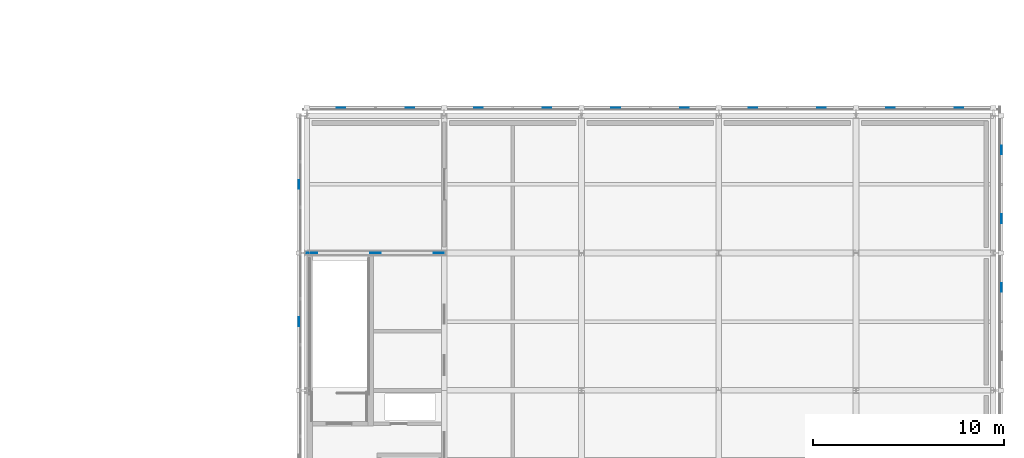
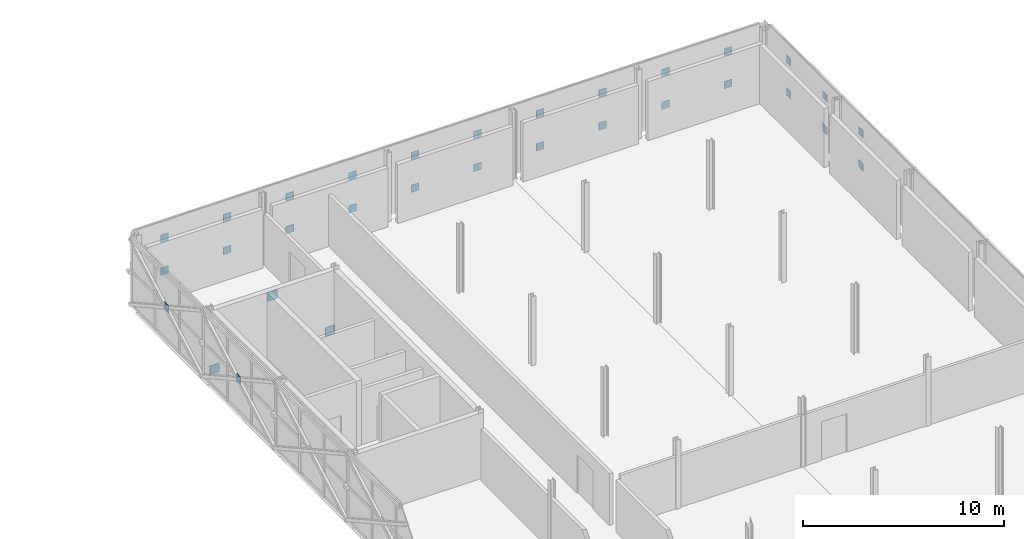
# One storey, part 117 of 146: 31 plates.
"""IFC4 building model written with IfcOpenShell, lengths in metres."""

from ifc_helpers import new_model, si_unit, direction, frame, origin, origin_2d, place, context, subcontext, project, spatial, rectangle, extrude, material, layer, layer_set, type_object, element, save


model = new_model("IFC4")

# Units and contexts
model_context = context("Model", 3, precision=1e-05, world=origin(), true_north=direction((0.0, 1.0)))
body_context = subcontext(model_context, "Body", "Model", "MODEL_VIEW")
ifc_project = project(units=[si_unit("LENGTHUNIT", "METRE"), si_unit("AREAUNIT", "SQUARE_METRE"), si_unit("VOLUMEUNIT", "CUBIC_METRE"), si_unit("PLANEANGLEUNIT", "RADIAN"), si_unit("MASSUNIT", "GRAM", prefix="KILO")], contexts=[model_context])

# Site, building, storey
site_placement = place(None, origin())
site = spatial("IfcSite", under=ifc_project, at=site_placement, CompositionType="ELEMENT")
building_placement = place(site_placement, origin())
building = spatial("IfcBuilding", under=site, at=building_placement, Name="Zlatovets Crest Museum", CompositionType="ELEMENT")
storey_placement = place(building_placement, frame((0.0, 0.0, 4.5)))
storey = spatial("IfcBuildingStorey", under=building, at=storey_placement, Name="L01", CompositionType="ELEMENT", Elevation=4.5)

# Plates
ifc_material = material(Name="Structural steel S355J2", Category="steel")
ifc_layer_1 = layer(ifc_material, 0.02490234375)
ifc_layer_set_1 = layer_set([ifc_layer_1], Name="Structural steel S355J2")
plate_type_1 = type_object("IfcPlateType", Name="Gusset_GP-01", PredefinedType="USERDEFINED", material=ifc_layer_set_1)
for number, where, z_axis, x_axis, name in (
    (1, (129.8798828125, 93.60009765625, 0.0048828125), (0.0, 0.0, 1.0), (1.0, 0.0, 0.0), "V5 L01 Brace End Gusset Plate GP-01"),
    (2, (136.52001953125, 93.60009765625, 0.0048828125), (0.0, 0.0, 1.0), (1.0, 0.0, 0.0), "V5 L01 Brace End Gusset Plate GP-01"),
    (3, (133.199951171875, 93.60009765625, 3.294921875), (0.0, 0.0, 1.0), (1.0, 0.0, 0.0), "V5 L01 Brace End Gusset Plate GP-01"),
):
    element("IfcPlate", number, at=place(storey_placement, frame(where, z_axis=z_axis, x_axis=x_axis)), inside=storey, type_object=plate_type_1, Name=name, ObjectType="GUSSET", PredefinedType="USERDEFINED", context=body_context, shape_type="SweptSolid", body=[
        extrude(rectangle(XDim=0.550048828125, YDim=0.02490234375, at=origin_2d()), origin(), (0.0, 0.0, 1.0), 0.550048828125),
    ])
ifc_layer_2 = layer(ifc_material, 0.02001953125)
ifc_layer_set_2 = layer_set([ifc_layer_2], Name="Structural steel S355J2")
plate_type_2 = type_object("IfcPlateType", Name="Gusset_GP-04", PredefinedType="USERDEFINED", material=ifc_layer_set_2)
for number, where, z_axis, x_axis, name in (
    (4, (166.02001953125, 91.800048828125, 0.875), (0.0, 0.0, 1.0), (1.0, 0.0, 0.0), "X-Brace Crossing Node Gusset Plate GP-04"),
    (5, (166.02001953125, 91.800048828125, 2.875), (0.0, 0.0, 1.0), (1.0, 0.0, 0.0), "X-Brace Crossing Node Gusset Plate GP-04"),
    (6, (166.02001953125, 95.39990234375, 0.875), (0.0, 0.0, 1.0), (1.0, 0.0, 0.0), "X-Brace Crossing Node Gusset Plate GP-04"),
    (7, (166.02001953125, 99.0, 0.875), (0.0, 0.0, 1.0), (1.0, 0.0, 0.0), "X-Brace Crossing Node Gusset Plate GP-04"),
    (8, (166.02001953125, 95.39990234375, 2.875), (0.0, 0.0, 1.0), (1.0, 0.0, 0.0), "X-Brace Crossing Node Gusset Plate GP-04"),
    (9, (166.02001953125, 99.0, 2.875), (0.0, 0.0, 1.0), (1.0, 0.0, 0.0), "X-Brace Crossing Node Gusset Plate GP-04"),
):
    element("IfcPlate", number, at=place(storey_placement, frame(where, z_axis=z_axis, x_axis=x_axis)), inside=storey, type_object=plate_type_2, Name=name, ObjectType="GUSSET", PredefinedType="USERDEFINED", context=body_context, shape_type="SweptSolid", body=[
        extrude(rectangle(XDim=0.02001953125, YDim=0.449951171875, at=origin_2d()), origin(), (0.0, 0.0, 1.0), 0.449951171875),
    ])
for number, where, z_axis, x_axis, name in (
    (10, (163.800048828125, 101.219970703125, 0.875), (0.0, 0.0, 1.0), (1.0, 0.0, 0.0), "X-Brace Crossing Node Gusset Plate GP-04"),
    (11, (160.199951171875, 101.219970703125, 0.875), (0.0, 0.0, 1.0), (1.0, 0.0, 0.0), "X-Brace Crossing Node Gusset Plate GP-04"),
    (12, (163.800048828125, 101.219970703125, 2.875), (0.0, 0.0, 1.0), (1.0, 0.0, 0.0), "X-Brace Crossing Node Gusset Plate GP-04"),
    (13, (160.199951171875, 101.219970703125, 2.875), (0.0, 0.0, 1.0), (1.0, 0.0, 0.0), "X-Brace Crossing Node Gusset Plate GP-04"),
    (14, (156.60009765625, 101.219970703125, 0.875), (0.0, 0.0, 1.0), (1.0, 0.0, 0.0), "X-Brace Crossing Node Gusset Plate GP-04"),
    (15, (153.0, 101.219970703125, 0.875), (0.0, 0.0, 1.0), (1.0, 0.0, 0.0), "X-Brace Crossing Node Gusset Plate GP-04"),
    (16, (156.60009765625, 101.219970703125, 2.875), (0.0, 0.0, 1.0), (1.0, 0.0, 0.0), "X-Brace Crossing Node Gusset Plate GP-04"),
    (17, (153.0, 101.219970703125, 2.875), (0.0, 0.0, 1.0), (1.0, 0.0, 0.0), "X-Brace Crossing Node Gusset Plate GP-04"),
    (18, (149.39990234375, 101.219970703125, 0.875), (0.0, 0.0, 1.0), (1.0, 0.0, 0.0), "X-Brace Crossing Node Gusset Plate GP-04"),
    (19, (145.800048828125, 101.219970703125, 0.875), (0.0, 0.0, 1.0), (1.0, 0.0, 0.0), "X-Brace Crossing Node Gusset Plate GP-04"),
    (20, (149.39990234375, 101.219970703125, 2.875), (0.0, 0.0, 1.0), (1.0, 0.0, 0.0), "X-Brace Crossing Node Gusset Plate GP-04"),
    (21, (145.800048828125, 101.219970703125, 2.875), (0.0, 0.0, 1.0), (1.0, 0.0, 0.0), "X-Brace Crossing Node Gusset Plate GP-04"),
    (22, (142.199951171875, 101.219970703125, 0.875), (0.0, 0.0, 1.0), (1.0, 0.0, 0.0), "X-Brace Crossing Node Gusset Plate GP-04"),
    (23, (138.60009765625, 101.219970703125, 0.875), (0.0, 0.0, 1.0), (1.0, 0.0, 0.0), "X-Brace Crossing Node Gusset Plate GP-04"),
    (24, (142.199951171875, 101.219970703125, 2.875), (0.0, 0.0, 1.0), (1.0, 0.0, 0.0), "X-Brace Crossing Node Gusset Plate GP-04"),
    (25, (138.60009765625, 101.219970703125, 2.875), (0.0, 0.0, 1.0), (1.0, 0.0, 0.0), "X-Brace Crossing Node Gusset Plate GP-04"),
    (26, (135.0, 101.219970703125, 0.875), (0.0, 0.0, 1.0), (1.0, 0.0, 0.0), "X-Brace Crossing Node Gusset Plate GP-04"),
    (27, (131.39990234375, 101.219970703125, 0.875), (0.0, 0.0, 1.0), (1.0, 0.0, 0.0), "X-Brace Crossing Node Gusset Plate GP-04"),
    (28, (135.0, 101.219970703125, 2.875), (0.0, 0.0, 1.0), (1.0, 0.0, 0.0), "X-Brace Crossing Node Gusset Plate GP-04"),
    (29, (131.39990234375, 101.219970703125, 2.875), (0.0, 0.0, 1.0), (1.0, 0.0, 0.0), "X-Brace Crossing Node Gusset Plate GP-04"),
):
    element("IfcPlate", number, at=place(storey_placement, frame(where, z_axis=z_axis, x_axis=x_axis)), inside=storey, type_object=plate_type_2, Name=name, ObjectType="GUSSET", PredefinedType="USERDEFINED", context=body_context, shape_type="SweptSolid", body=[
        extrude(rectangle(XDim=0.449951171875, YDim=0.02001953125, at=origin_2d()), origin(), (0.0, 0.0, 1.0), 0.449951171875),
    ])
for number, where, z_axis, x_axis, name in (
    (30, (129.179931640625, 97.199951171875, 1.875), (0.0, 0.0, 1.0), (1.0, 0.0, 0.0), "X-Brace Crossing Node Gusset Plate GP-04"),
    (31, (129.179931640625, 90.0, 1.875), (0.0, 0.0, 1.0), (1.0, 0.0, 0.0), "X-Brace Crossing Node Gusset Plate GP-04"),
):
    element("IfcPlate", number, at=place(storey_placement, frame(where, z_axis=z_axis, x_axis=x_axis)), inside=storey, type_object=plate_type_2, Name=name, ObjectType="GUSSET", PredefinedType="USERDEFINED", context=body_context, shape_type="SweptSolid", body=[
        extrude(rectangle(XDim=0.02001953125, YDim=0.449951171875, at=origin_2d()), origin(), (0.0, 0.0, 1.0), 0.449951171875),
    ])

save(model, "model.ifc")
